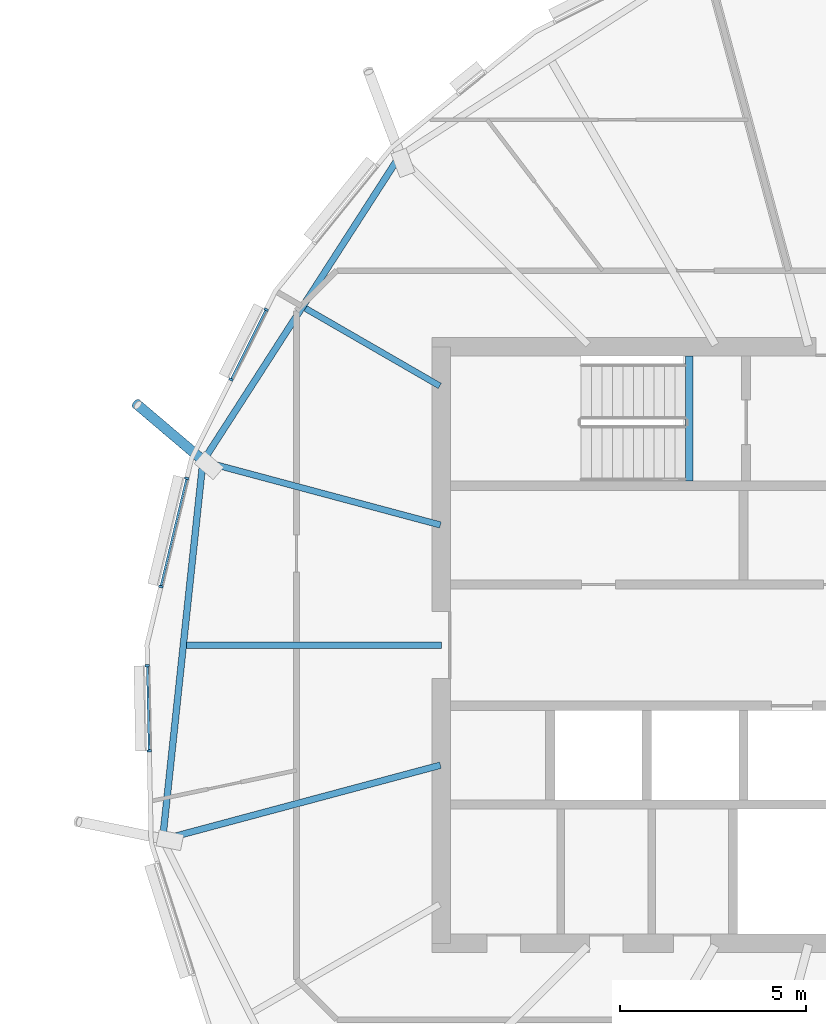
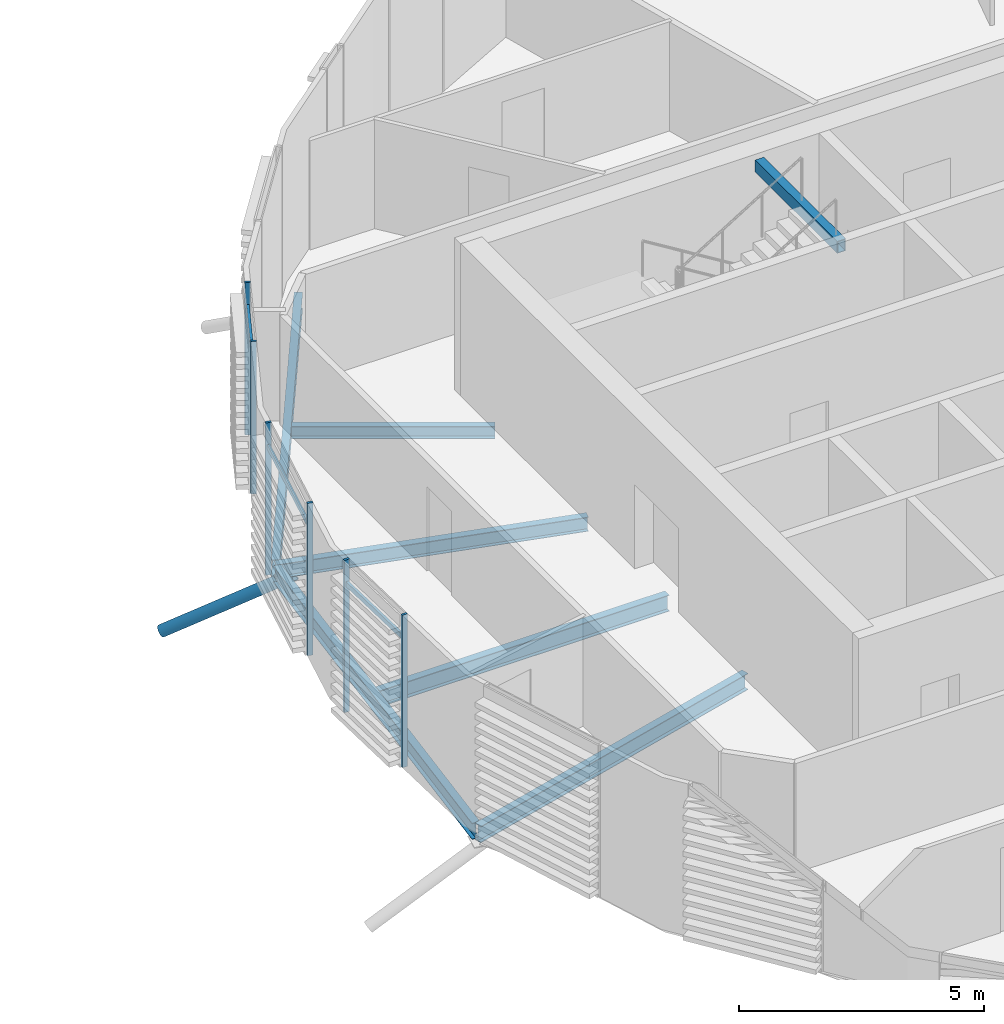
# One storey, part 11 of 41: 10 members, 7 beams, 1 element without a shape of its own.
"""IFC4 building model written with IfcOpenShell, lengths in metres."""

import ifcopenshell
import ifcopenshell.guid

model = None  # the IFC model being written
_history = None  # IfcOwnerHistory: only IFC2X3 demands one
_inside = {}  # id of a spatial element -> (the spatial element, [elements in it])
_under = {}  # id of a project, library or spatial element -> (it, [spatial elements below it])
_declared = {}  # id of a project -> (the project, [libraries it declares])
_typed = {}  # id of a type object -> (the type object, [elements of that type])
_made_of = {}  # id of a material, layer set ... -> (it, [elements and type objects made of it])


def new_model(schema):
    """Start an empty IFC model of exactly this schema.

    Asked for "IFC4X3", IfcOpenShell would pick the latest addendum, in which some entities
    have other attributes; the version numbers below select the first issue.
    IFC2X3 requires an IfcOwnerHistory on every rooted entity: one is made here for all.
    """
    global model, _history
    if schema == "IFC4X3":
        model = ifcopenshell.file(schema_version=(4, 3, 0, 0))
    else:
        model = ifcopenshell.file(schema=schema)
    _inside.clear()
    _under.clear()
    _declared.clear()
    _typed.clear()
    _made_of.clear()
    _history = None
    if model.schema == "IFC2X3":
        org = make("IfcOrganization", Name="unknown")
        user = make(
            "IfcPersonAndOrganization",
            ThePerson=make("IfcPerson", FamilyName="unknown"),
            TheOrganization=org,
        )
        app = make(
            "IfcApplication",
            ApplicationDeveloper=org,
            Version="unknown",
            ApplicationFullName="unknown",
            ApplicationIdentifier="unknown",
        )
        _history = make(
            "IfcOwnerHistory",
            OwningUser=user,
            OwningApplication=app,
            ChangeAction="ADDED",
            CreationDate=0,
        )
    return model


def make(cls, **values):
    """One entity of the class cls with the attributes given. An attribute that is None is left unset."""
    return model.create_entity(
        cls, **{name: value for name, value in values.items() if value is not None}
    )


def rooted(cls, **values):
    """An entity with a GlobalId (a new one), such as an element, a storey or a relation."""
    return make(cls, GlobalId=ifcopenshell.guid.new(), OwnerHistory=_history, **values)


def si_unit(unit_type, name, prefix=None):
    """IfcSIUnit, for example si_unit("LENGTHUNIT", "METRE", prefix="MILLI")."""
    return make("IfcSIUnit", UnitType=unit_type, Prefix=prefix, Name=name)


def assignment(units):
    """IfcUnitAssignment: the units of a project."""
    return None if units is None else make("IfcUnitAssignment", Units=units)


def point(xyz):
    """IfcCartesianPoint."""
    return None if xyz is None else make("IfcCartesianPoint", Coordinates=xyz)


def direction(xyz):
    """IfcDirection."""
    return None if xyz is None else make("IfcDirection", DirectionRatios=xyz)


def frame(location, z_axis=None, x_axis=None):
    """IfcAxis2Placement3D, a coordinate frame: its origin and axes. An axis left out is left unset."""
    return make(
        "IfcAxis2Placement3D",
        Location=point(location),
        Axis=direction(z_axis),
        RefDirection=direction(x_axis),
    )


def frame_2d(location, x_axis=None):
    """IfcAxis2Placement2D, a coordinate frame in the plane: its origin and x axis."""
    return make(
        "IfcAxis2Placement2D", Location=point(location), RefDirection=direction(x_axis)
    )


def origin():
    """The frame at (0, 0, 0) with its axes left unset."""
    return frame((0.0, 0.0, 0.0))


def origin_2d():
    """The frame at (0, 0) in the plane with its x axis left unset."""
    return frame_2d((0.0, 0.0))


def place(relative_to, where):
    """IfcLocalPlacement: puts the frame where relative to a parent placement (None: the world)."""
    return make(
        "IfcLocalPlacement", PlacementRelTo=relative_to, RelativePlacement=where
    )


def context(
    kind, dimensions, precision=None, world=None, true_north=None, identifier=None
):
    """IfcGeometricRepresentationContext, for example the 3D "Model" context."""
    return make(
        "IfcGeometricRepresentationContext",
        ContextIdentifier=identifier,
        ContextType=kind,
        CoordinateSpaceDimension=dimensions,
        Precision=precision,
        WorldCoordinateSystem=world,
        TrueNorth=true_north,
    )


def subcontext(parent, identifier, kind, view, scale=None):
    """IfcGeometricRepresentationSubContext, for example "Body" below "Model"."""
    return make(
        "IfcGeometricRepresentationSubContext",
        ContextIdentifier=identifier,
        ContextType=kind,
        ParentContext=parent,
        TargetScale=scale,
        TargetView=view,
    )


def project(units=None, contexts=None):
    """IfcProject with its units and contexts."""
    return rooted(
        "IfcProject",
        Name="project",
        RepresentationContexts=contexts,
        UnitsInContext=assignment(units),
    )


def spatial(cls, under=None, at=None, **own):
    """A site, building, storey or space (cls), placed at a placement, below another one or the project."""
    s = rooted(cls, ObjectPlacement=at, **own)
    if under is not None:
        _under.setdefault(under.id(), (under, []))[1].append(s)
    return s


def profile(cls, at=None, kind="AREA", **sizes):
    """A parametric profile (cls). Its sizes go by their IFC names, for example OverallWidth=200.0."""
    return make(cls, ProfileType=kind, Position=at, **sizes)


def rectangle(**sizes):
    """IfcRectangleProfileDef."""
    return profile("IfcRectangleProfileDef", **sizes)


def hollow_rectangle(**sizes):
    """IfcRectangleHollowProfileDef."""
    return profile("IfcRectangleHollowProfileDef", **sizes)


def hollow_circle(**sizes):
    """IfcCircleHollowProfileDef."""
    return profile("IfcCircleHollowProfileDef", **sizes)


def i_section(**sizes):
    """IfcIShapeProfileDef."""
    return profile("IfcIShapeProfileDef", **sizes)


def extrude(swept, where, along, depth):
    """IfcExtrudedAreaSolid: the profile swept, set in the frame where, extruded along a direction by depth."""
    return make(
        "IfcExtrudedAreaSolid",
        SweptArea=swept,
        Position=where,
        ExtrudedDirection=direction(along),
        Depth=depth,
    )


def clip(a, b, op="DIFFERENCE"):
    """IfcBooleanClippingResult: the solid a cut by the half space b."""
    return make(
        "IfcBooleanClippingResult", Operator=op, FirstOperand=a, SecondOperand=b
    )


def halfspace(plane, agree):
    """IfcHalfSpaceSolid: all space on one side of the plane z = 0 of the frame plane."""
    return make(
        "IfcHalfSpaceSolid",
        BaseSurface=make("IfcPlane", Position=plane),
        AgreementFlag=agree,
    )


def shape(context_of_items, identifier, shape_type, items):
    """IfcShapeRepresentation: the items that make up one representation, for example the "Body"."""
    return make(
        "IfcShapeRepresentation",
        ContextOfItems=context_of_items,
        RepresentationIdentifier=identifier,
        RepresentationType=shape_type,
        Items=items,
    )


def material(Name=None, Category=None):
    """IfcMaterial."""
    return make("IfcMaterial", Name=Name, Category=Category)


def material_profile(
    of_material, cross_section, Name=None, Category=None, Priority=None
):
    """IfcMaterialProfile: a cross section and its material."""
    return make(
        "IfcMaterialProfile",
        Name=Name,
        Material=of_material,
        Profile=cross_section,
        Priority=Priority,
        Category=Category,
    )


def profile_set(profiles, Name=None, composite=None):
    """IfcMaterialProfileSet."""
    return make(
        "IfcMaterialProfileSet",
        Name=Name,
        MaterialProfiles=profiles,
        CompositeProfile=composite,
    )


def made_of(thing, what):
    """Note that an element or type object is made of a material, layer set ...; save() writes the relation."""
    if what is not None:
        _made_of.setdefault(what.id(), (what, []))[1].append(thing)
    return thing


def type_object(cls, material=None, **own):
    """A type object (cls), such as IfcWallType, which elements share."""
    return made_of(rooted(cls, **own), material)


def element(
    cls,
    number,
    at=None,
    inside=None,
    cuts=None,
    type_object=None,
    material=None,
    context=None,
    identifier="Body",
    shape_type=None,
    held_by="IfcProductDefinitionShape",
    body=None,
    shapes=None,
    **own,
):
    """One element of the class cls, such as IfcWall. Its Tag is "e" and its number.

    at: its placement. inside: the storey or other place that contains it. cuts: it is an
    opening in that element (IfcRelVoidsElement). A single representation is given by context,
    identifier, shape_type and body (its items); several are given by shapes. held_by: the class
    of the entity that holds the representations. save() writes the other relations.
    """
    e = rooted(cls, Tag="e%d" % number, ObjectPlacement=at, **own)
    if body is not None:
        shapes = [shape(context, identifier, shape_type, body)]
    if shapes is not None:
        e.Representation = make(held_by, Representations=shapes)
    if inside is not None:
        _inside.setdefault(inside.id(), (inside, []))[1].append(e)
    if cuts is not None:
        rooted(
            "IfcRelVoidsElement", RelatingBuildingElement=cuts, RelatedOpeningElement=e
        )
    if type_object is not None:
        _typed.setdefault(type_object.id(), (type_object, []))[1].append(e)
    return made_of(e, material)


def aggregate(whole, parts):
    """IfcRelAggregates: a whole, such as a stair, and the parts it consists of."""
    return rooted("IfcRelAggregates", RelatingObject=whole, RelatedObjects=parts)


def save(model, path):
    """Write the relations noted so far, then the file.

    IfcRelAggregates (storeys below a building ...), IfcRelContainedInSpatialStructure (elements
    in a storey), IfcRelDefinesByType, IfcRelAssociatesMaterial and IfcRelDeclares: one each for
    every whole, place, type object, material and project.
    """
    for whole, parts in _under.values():
        aggregate(whole, parts)
    for where, things in _inside.values():
        rooted(
            "IfcRelContainedInSpatialStructure",
            RelatedElements=things,
            RelatingStructure=where,
        )
    for kind, things in _typed.values():
        rooted("IfcRelDefinesByType", RelatedObjects=things, RelatingType=kind)
    for what, things in _made_of.values():
        rooted("IfcRelAssociatesMaterial", RelatedObjects=things, RelatingMaterial=what)
    for by, libraries in _declared.values():
        rooted("IfcRelDeclares", RelatingContext=by, RelatedDefinitions=libraries)
    model.write(path)


model = new_model("IFC4")

# Units and contexts
model_context = context("Model", 3, precision=1e-05, world=origin(), true_north=direction((0.0, 1.0)))
body_context = subcontext(model_context, "Body", "Model", "MODEL_VIEW")
ifc_project = project(units=[si_unit("LENGTHUNIT", "METRE"), si_unit("AREAUNIT", "SQUARE_METRE"), si_unit("VOLUMEUNIT", "CUBIC_METRE"), si_unit("PLANEANGLEUNIT", "RADIAN"), si_unit("MASSUNIT", "GRAM", prefix="KILO")], contexts=[model_context])

# Site, building, storey
site_placement = place(None, origin())
site = spatial("IfcSite", under=ifc_project, at=site_placement, CompositionType="ELEMENT")
building_placement = place(site_placement, origin())
building = spatial("IfcBuilding", under=site, at=building_placement, Name="Rimbun Link Towers", CompositionType="ELEMENT")
storey_placement = place(building_placement, frame((0.0, 0.0, 210.5)))
storey = spatial("IfcBuildingStorey", under=building, at=storey_placement, Name="L51", CompositionType="ELEMENT", Elevation=210.5)

# Curtain wall, members
ifc_material_1 = material(Name="Aluminium 6063-T6 and low-iron glass", Category="aluminium")
curtain_wall_type = type_object("IfcCurtainWallType", Name="CW1-Z4 unitised vision wall (zone 4)", PredefinedType="NOTDEFINED", material=ifc_material_1)
curtain_wall_placement = place(storey_placement, origin())
curtain_wall = element("IfcCurtainWall", 1, at=curtain_wall_placement, inside=storey, type_object=curtain_wall_type, Name="CW1 L51 T2", PredefinedType="NOTDEFINED")
ifc_material_2 = material(Name="Aluminium 6063-T6", Category="aluminium")
ifc_material_profile_1 = material_profile(ifc_material_2, rectangle(XDim=0.1201171875, YDim=0.06005859375, at=origin_2d()), Name="MULLION 60X120")
ifc_profile_set_1 = profile_set([ifc_material_profile_1], Name="Aluminium 6063-T6")
member_type_1 = type_object("IfcMemberType", Name="CW1 mullion 60X120", PredefinedType="MULLION", material=ifc_profile_set_1)
member_1_placement = place(storey_placement, frame((14.109375, 7.1220703125, 0.0), z_axis=(0.0, 0.0, 1.0), x_axis=(-0.893650392723, 0.448763830524, 0.0)))
member_1 = element("IfcMember", 2, at=member_1_placement, type_object=member_type_1, Name="CW1 mullion", PredefinedType="MULLION", context=body_context, shape_type="SweptSolid", body=[
    extrude(rectangle(XDim=0.1201171875, YDim=0.06005859375, at=origin_2d()), origin(), (0.0, 0.0, 1.0), 3.800048828125),
])
member_2_placement = place(storey_placement, frame((15.05322265625, 9.001708984375, 0.0), z_axis=(0.0, 0.0, 1.0), x_axis=(-0.893650392723, 0.448763830524, 0.0)))
member_2 = element("IfcMember", 3, at=member_2_placement, type_object=member_type_1, Name="CW1 mullion", PredefinedType="MULLION", context=body_context, shape_type="SweptSolid", body=[
    extrude(rectangle(XDim=0.1201171875, YDim=0.06005859375, at=origin_2d()), origin(), (0.0, 0.0, 1.0), 3.800048828125),
])
member_3_placement = place(storey_placement, frame((12.2275390625, 1.570068359375, 0.0), z_axis=(0.0, 0.0, 1.0), x_axis=(-0.972572572168, 0.232599638579, 0.0)))
member_3 = element("IfcMember", 4, at=member_3_placement, type_object=member_type_1, Name="CW1 mullion", PredefinedType="MULLION", context=body_context, shape_type="SweptSolid", body=[
    extrude(rectangle(XDim=0.1201171875, YDim=0.06005859375, at=origin_2d()), origin(), (0.0, 0.0, 1.0), 3.800048828125),
])
member_4_placement = place(storey_placement, frame((12.922119140625, 4.47412109375, 0.0), z_axis=(0.0, 0.0, 1.0), x_axis=(-0.972572572168, 0.232599638579, 0.0)))
member_4 = element("IfcMember", 5, at=member_4_placement, type_object=member_type_1, Name="CW1 mullion", PredefinedType="MULLION", context=body_context, shape_type="SweptSolid", body=[
    extrude(rectangle(XDim=0.1201171875, YDim=0.06005859375, at=origin_2d()), origin(), (0.0, 0.0, 1.0), 3.800048828125),
])
member_5_placement = place(storey_placement, frame((11.913330078125, -2.837158203125, 0.0), z_axis=(0.0, 0.0, 1.0), x_axis=(-0.999778345459, -0.021053739591, 0.0)))
member_5 = element("IfcMember", 6, at=member_5_placement, type_object=member_type_1, Name="CW1 mullion", PredefinedType="MULLION", context=body_context, shape_type="SweptSolid", body=[
    extrude(rectangle(XDim=0.1201171875, YDim=0.06005859375, at=origin_2d()), origin(), (0.0, 0.0, 1.0), 3.800048828125),
])
member_6_placement = place(storey_placement, frame((11.865234375, -0.551025390625, 0.0), z_axis=(0.0, 0.0, 1.0), x_axis=(-0.999778345459, -0.021053739591, 0.0)))
member_6 = element("IfcMember", 7, at=member_6_placement, type_object=member_type_1, Name="CW1 mullion", PredefinedType="MULLION", context=body_context, shape_type="SweptSolid", body=[
    extrude(rectangle(XDim=0.1201171875, YDim=0.06005859375, at=origin_2d()), origin(), (0.0, 0.0, 1.0), 3.800048828125),
])
ifc_material_3 = material(Name="Aluminium 6063-T6", Category="aluminium")
ifc_material_profile_2 = material_profile(ifc_material_3, rectangle(XDim=0.06005859375, YDim=0.1201171875, at=origin_2d()), Name="TRANSOM 60X120")
ifc_profile_set_2 = profile_set([ifc_material_profile_2], Name="Aluminium 6063-T6")
member_type_2 = type_object("IfcMemberType", Name="CW1 transom 60X120", PredefinedType="USERDEFINED", material=ifc_profile_set_2)
member_7_placement = place(storey_placement, frame((14.12451171875, 7.14794921875, 3.199951171875), z_axis=(0.44874220173, 0.893661253712, 0.0), x_axis=(-0.893661253712, 0.44874220173, 0.0)))
member_7 = element("IfcMember", 8, at=member_7_placement, type_object=member_type_2, Name="CW1 transom", ObjectType="TRANSOM", PredefinedType="USERDEFINED", context=body_context, shape_type="SweptSolid", body=[
    extrude(rectangle(XDim=0.06005859375, YDim=0.1201171875, at=origin_2d()), origin(), (0.0, 0.0, 1.0), 2.04345703125),
])
member_8_placement = place(storey_placement, frame((12.236328125, 1.598876953125, 3.199951171875), z_axis=(0.232646997026, 0.972561244742, 0.0), x_axis=(-0.972561244742, 0.232646997026, 0.0)))
member_8 = element("IfcMember", 9, at=member_8_placement, type_object=member_type_2, Name="CW1 transom", ObjectType="TRANSOM", PredefinedType="USERDEFINED", context=body_context, shape_type="SweptSolid", body=[
    extrude(rectangle(XDim=0.06005859375, YDim=0.1201171875, at=origin_2d()), origin(), (0.0, 0.0, 1.0), 2.92578125),
])
member_9_placement = place(storey_placement, frame((11.914794921875, -2.80712890625, 3.199951171875), z_axis=(-0.021052582475, 0.999778369826, 0.0), x_axis=(-0.999778369826, -0.021052582475, 0.0)))
member_9 = element("IfcMember", 10, at=member_9_placement, type_object=member_type_2, Name="CW1 transom", ObjectType="TRANSOM", PredefinedType="USERDEFINED", context=body_context, shape_type="SweptSolid", body=[
    extrude(rectangle(XDim=0.06005859375, YDim=0.1201171875, at=origin_2d()), origin(), (0.0, 0.0, 1.0), 2.2265625),
])
aggregate(curtain_wall, [member_1, member_2, member_3, member_4, member_5, member_6, member_7, member_8, member_9])

# Member
ifc_material_4 = material(Name="Steel S355J2H", Category="steel")
ifc_material_profile_3 = material_profile(ifc_material_4, hollow_circle(Radius=0.136474609375, WallThickness=0.012451171875, at=origin_2d()), Name="CHS 273x12.5")
ifc_profile_set_3 = profile_set([ifc_material_profile_3], Name="Steel S355J2H")
member_type_3 = type_object("IfcMemberType", Name="Floor edge link CHS 273x12.5", PredefinedType="BRACE", material=ifc_profile_set_3)
member_10_placement = place(storey_placement, frame((13.4033203125, 4.916015625, -0.60986328125), z_axis=(-0.64282622311, 0.545430892647, -0.537847179251), x_axis=(-0.646979229008, -0.762507624377, 0.0)))
element("IfcMember", 11, at=member_10_placement, inside=storey, type_object=member_type_3, Name="Floor edge link T2 L51 08", PredefinedType="BRACE", context=body_context, shape_type="Clipping", body=[
    clip(extrude(hollow_circle(Radius=0.136474609375, WallThickness=0.012451171875, at=origin_2d()), frame((0.0, 0.0, -0.446533203125)), (0.0, 0.0, 1.0), 3.311767578125), halfspace(frame((0.0, 0.0, -0.2099609375), z_axis=(0.0, 0.843042354672, -0.537847179251)), False)),
])

# Beams
ifc_material_5 = material(Name="Steel S355J2", Category="steel")
ifc_material_profile_4 = material_profile(ifc_material_5, hollow_rectangle(XDim=0.199951171875, YDim=0.300048828125, WallThickness=0.011962890625, at=origin_2d()), Name="BOX 300x200x12")
ifc_profile_set_4 = profile_set([ifc_material_profile_4], Name="Steel S355J2")
beam_type_1 = type_object("IfcBeamType", Name="Stair trimmer beam BOX 300x200x12", PredefinedType="BEAM", material=ifc_profile_set_4)
beam_1_placement = place(storey_placement, frame((26.39990234375, 7.75, 3.510009765625), z_axis=(0.0, -1.0, 0.0), x_axis=(1.0, 0.0, 0.0)))
element("IfcBeam", 12, at=beam_1_placement, inside=storey, type_object=beam_type_1, Name="L51 ST3 stair beam 1", PredefinedType="BEAM", context=body_context, shape_type="SweptSolid", body=[
    extrude(hollow_rectangle(XDim=0.199951171875, YDim=0.300048828125, WallThickness=0.011962890625, at=origin_2d()), origin(), (0.0, 0.0, 1.0), 3.35009765625),
])
ifc_material_6 = material(Name="Steel S355J2", Category="steel")
ifc_material_profile_5 = material_profile(ifc_material_6, i_section(OverallWidth=0.1650390625, OverallDepth=0.303466796875, WebThickness=0.006103515625, FlangeThickness=0.01025390625, at=origin_2d()), Name="UB 305x165x40")
ifc_profile_set_5 = profile_set([ifc_material_profile_5], Name="Steel S355J2")
beam_type_2 = type_object("IfcBeamType", Name="UB 305x165x40", PredefinedType="BEAM", material=ifc_profile_set_5)
beam_2_placement = place(storey_placement, frame((19.7080078125, 6.952392578125, -0.291748046875), z_axis=(-0.866020402632, 0.50000866215, 0.0), x_axis=(-0.50000866215, -0.866020402632, 0.0)))
element("IfcBeam", 13, at=beam_2_placement, inside=storey, type_object=beam_type_2, Name="Radial beam T2 L51 07", PredefinedType="BEAM", context=body_context, shape_type="SweptSolid", body=[
    extrude(i_section(OverallWidth=0.1650390625, OverallDepth=0.303466796875, WebThickness=0.006103515625, FlangeThickness=0.01025390625, at=origin_2d()), origin(), (0.0, 0.0, 1.0), 4.15966796875),
])
ifc_material_7 = material(Name="Steel S355J2", Category="steel")
ifc_material_profile_6 = material_profile(ifc_material_7, i_section(OverallWidth=0.17138671875, OverallDepth=0.35498046875, WebThickness=0.00732421875, FlangeThickness=0.011474609375, at=origin_2d()), Name="UB 356x171x51")
ifc_profile_set_6 = profile_set([ifc_material_profile_6], Name="Steel S355J2")
beam_type_3 = type_object("IfcBeamType", Name="UB 356x171x51", PredefinedType="BEAM", material=ifc_profile_set_6)
beam_3_placement = place(storey_placement, frame((19.726806640625, 3.2216796875, -0.3173828125), z_axis=(-0.965927732038, 0.258811932646, 0.0), x_axis=(-0.258811932646, -0.965927732038, 0.0)))
element("IfcBeam", 14, at=beam_3_placement, inside=storey, type_object=beam_type_3, Name="Radial beam T2 L51 08", PredefinedType="BEAM", context=body_context, shape_type="SweptSolid", body=[
    extrude(i_section(OverallWidth=0.17138671875, OverallDepth=0.35498046875, WebThickness=0.00732421875, FlangeThickness=0.011474609375, at=origin_2d()), origin(), (0.0, 0.0, 1.0), 6.5966796875),
])
ifc_material_8 = material(Name="Steel S355J2", Category="steel")
ifc_material_profile_7 = material_profile(ifc_material_8, i_section(OverallWidth=0.177978515625, OverallDepth=0.406494140625, WebThickness=0.0078125, FlangeThickness=0.0126953125, at=origin_2d()), Name="UB 406x178x60")
ifc_profile_set_7 = profile_set([ifc_material_profile_7], Name="Steel S355J2")
beam_type_4 = type_object("IfcBeamType", Name="UB 406x178x60", PredefinedType="BEAM", material=ifc_profile_set_7)
beam_4_placement = place(storey_placement, frame((19.7490234375, 0.0, -0.34326171875), z_axis=(-1.0, 0.0, 0.0), x_axis=(0.0, -1.0, 0.0)))
element("IfcBeam", 15, at=beam_4_placement, inside=storey, type_object=beam_type_4, Name="Radial beam T2 L51 09", PredefinedType="BEAM", context=body_context, shape_type="SweptSolid", body=[
    extrude(i_section(OverallWidth=0.177978515625, OverallDepth=0.406494140625, WebThickness=0.0078125, FlangeThickness=0.0126953125, at=origin_2d()), origin(), (0.0, 0.0, 1.0), 6.828857421875),
])
beam_5_placement = place(storey_placement, frame((19.72607421875, -3.2216796875, -0.34326171875), z_axis=(-0.965919094582, -0.258844166869, 0.0), x_axis=(0.258844166869, -0.965919094582, 0.0)))
element("IfcBeam", 16, at=beam_5_placement, inside=storey, type_object=beam_type_4, Name="Radial beam T2 L51 10", PredefinedType="BEAM", context=body_context, shape_type="SweptSolid", body=[
    extrude(i_section(OverallWidth=0.177978515625, OverallDepth=0.406494140625, WebThickness=0.0078125, FlangeThickness=0.0126953125, at=origin_2d()), origin(), (0.0, 0.0, 1.0), 7.71533203125),
])
beam_6_placement = place(storey_placement, frame((18.581787109375, 13.041015625, -0.34326171875), z_axis=(-0.541636367037, -0.840612898963, 0.0), x_axis=(0.840612898963, -0.541636367037, 0.0)))
element("IfcBeam", 17, at=beam_6_placement, inside=storey, type_object=beam_type_4, Name="Edge beam T2 L51 06-08", PredefinedType="BEAM", context=body_context, shape_type="SweptSolid", body=[
    extrude(i_section(OverallWidth=0.177978515625, OverallDepth=0.406494140625, WebThickness=0.0078125, FlangeThickness=0.0126953125, at=origin_2d()), origin(), (0.0, 0.0, 1.0), 9.55908203125),
])
beam_7_placement = place(storey_placement, frame((13.345703125, 4.841796875, -0.34326171875), z_axis=(-0.105954172233, -0.994371013951, 0.0), x_axis=(0.994371013951, -0.105954172233, 0.0)))
element("IfcBeam", 18, at=beam_7_placement, inside=storey, type_object=beam_type_4, Name="Edge beam T2 L51 08-10", PredefinedType="BEAM", context=body_context, shape_type="SweptSolid", body=[
    extrude(i_section(OverallWidth=0.177978515625, OverallDepth=0.406494140625, WebThickness=0.0078125, FlangeThickness=0.0126953125, at=origin_2d()), origin(), (0.0, 0.0, 1.0), 10.02099609375),
])

save(model, "model.ifc")
